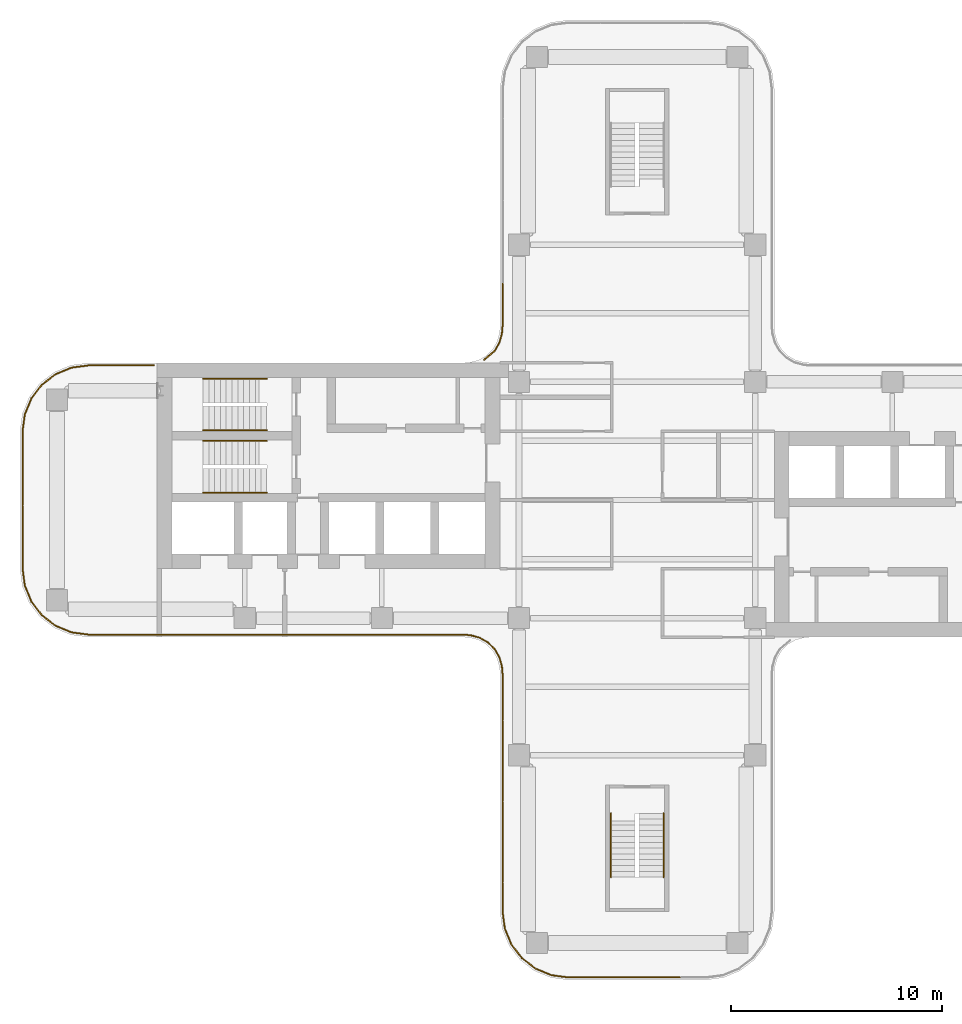
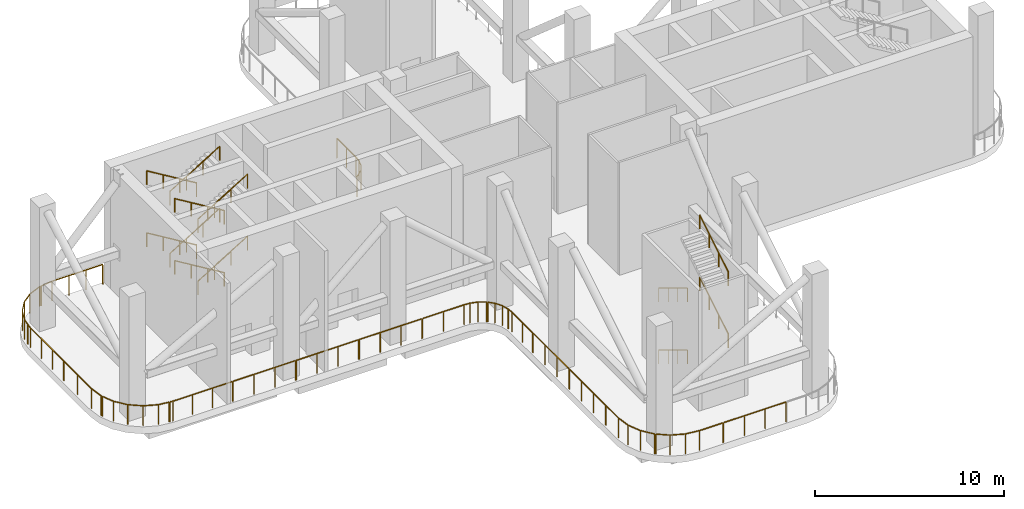
# One storey, part 7 of 9: 29 railings.
"""IFC4 building model written with IfcOpenShell, lengths in metres."""

from ifc_helpers import new_model, si_unit, direction, frame, origin, origin_2d, place, context, subcontext, project, spatial, rectangle, circle, extrude, source, transform, mapped, material, type_object, element, save


model = new_model("IFC4")

# Units and contexts
model_context = context("Model", 3, precision=1e-05, world=origin(), true_north=direction((0.0, 1.0)))
body_context = subcontext(model_context, "Body", "Model", "MODEL_VIEW")
ifc_project = project(units=[si_unit("LENGTHUNIT", "METRE"), si_unit("AREAUNIT", "SQUARE_METRE"), si_unit("VOLUMEUNIT", "CUBIC_METRE"), si_unit("PLANEANGLEUNIT", "RADIAN"), si_unit("MASSUNIT", "GRAM", prefix="KILO")], contexts=[model_context])

# Site, building, storey
site_placement = place(None, origin())
site = spatial("IfcSite", under=ifc_project, at=site_placement, CompositionType="ELEMENT")
building_placement = place(site_placement, origin())
building = spatial("IfcBuilding", under=site, at=building_placement, Name="Trellis Farm Tower", CompositionType="ELEMENT")
storey_placement = place(building_placement, frame((0.0, 0.0, 271.39990234375)))
storey = spatial("IfcBuildingStorey", under=building, at=storey_placement, Name="L61", CompositionType="ELEMENT", Elevation=271.39990234375)

# Railings
ifc_material_1 = material(Name="Stainless steel 316", Category="steel")
railing_type_1 = type_object("IfcRailingType", Name="BALUSTRADE GUARD 1300", PredefinedType="GUARDRAIL", material=ifc_material_1)
railing_1_placement = place(storey_placement, frame((-7.245361328125, 6.64990234375, 0.0)))
element("IfcRailing", 1, at=railing_1_placement, inside=storey, type_object=railing_type_1, Name="GD3 EDGE-1", PredefinedType="GUARDRAIL", context=body_context, shape_type="SweptSolid", body=[
    extrude(rectangle(XDim=0.050048828125, YDim=0.050048828125, at=origin_2d()), frame((0.0, 0.0, 1.27490234375), z_axis=(0.761614428035, 0.648030449138, 0.0), x_axis=(-0.648030449138, 0.761614428035, 0.0)), (0.0, 0.0, 1.0), 0.649169921875),
    extrude(rectangle(XDim=0.050048828125, YDim=0.050048828125, at=origin_2d()), frame((0.494384765625, 0.420654296875, 1.27490234375), z_axis=(0.499971721724, 0.866041729639, 0.0), x_axis=(-0.866041729639, 0.499971721724, 0.0)), (0.0, 0.0, 1.0), 0.4521484375),
    extrude(rectangle(XDim=0.050048828125, YDim=0.050048828125, at=origin_2d()), frame((0.720458984375, 0.812255859375, 1.27490234375), z_axis=(0.258891443638, 0.965906424252, 0.0), x_axis=(-0.965906424252, 0.258891443638, 0.0)), (0.0, 0.0, 1.0), 0.445068359375),
    extrude(rectangle(XDim=0.050048828125, YDim=0.050048828125, at=origin_2d()), frame((0.835693359375, 1.2421875, 1.27490234375), z_axis=(0.088443887633, 0.99608116072, 0.0), x_axis=(-0.99608116072, 0.088443887633, 0.0)), (0.0, 0.0, 1.0), 0.336669921875),
    extrude(rectangle(XDim=0.050048828125, YDim=0.050048828125, at=origin_2d()), frame((0.865478515625, 1.57763671875, 1.27490234375), z_axis=(0.0, 1.0, 0.0), x_axis=(-1.0, 0.0, 0.0)), (0.0, 0.0, 1.0), 2.028564453125),
    extrude(rectangle(XDim=0.0400390625, YDim=0.0400390625, at=origin_2d()), origin(), (0.0, 0.0, 1.0), 1.25),
    extrude(rectangle(XDim=0.0400390625, YDim=0.0400390625, at=origin_2d()), frame((0.494384765625, 0.420654296875, 0.0)), (0.0, 0.0, 1.0), 1.25),
    extrude(rectangle(XDim=0.0400390625, YDim=0.0400390625, at=origin_2d()), frame((0.720458984375, 0.812255859375, 0.0)), (0.0, 0.0, 1.0), 1.25),
    extrude(rectangle(XDim=0.0400390625, YDim=0.0400390625, at=origin_2d()), frame((0.835693359375, 1.2421875, 0.0)), (0.0, 0.0, 1.0), 1.25),
    extrude(rectangle(XDim=0.0400390625, YDim=0.0400390625, at=origin_2d()), frame((0.865478515625, 1.57763671875, 0.0)), (0.0, 0.0, 1.0), 1.25),
    extrude(rectangle(XDim=0.0400390625, YDim=0.0400390625, at=origin_2d()), frame((0.865478515625, 2.591796875, 0.0)), (0.0, 0.0, 1.0), 1.25),
    extrude(rectangle(XDim=0.0400390625, YDim=0.0400390625, at=origin_2d()), frame((0.865478515625, 3.606201171875, 0.0)), (0.0, 0.0, 1.0), 1.25),
])
railing_2_placement = place(storey_placement, frame((-1.8310546875, -22.6298828125, 0.0)))
element("IfcRailing", 2, at=railing_2_placement, inside=storey, type_object=railing_type_1, Name="GD3 EDGE-26", PredefinedType="GUARDRAIL", context=body_context, shape_type="SweptSolid", body=[
    extrude(rectangle(XDim=0.050048828125, YDim=0.050048828125, at=origin_2d()), frame((0.0, 0.0, 1.27490234375), z_axis=(-1.0, 0.0, 0.0), x_axis=(0.0, -1.0, 0.0)), (0.0, 0.0, 1.0), 1.4111328125),
    extrude(rectangle(XDim=0.050048828125, YDim=0.050048828125, at=origin_2d()), frame((-1.4111328125, 0.0, 1.27490234375), z_axis=(-0.991441191387, 0.130554065513, 0.0), x_axis=(-0.130554065513, -0.991441191387, 0.0)), (0.0, 0.0, 1.0), 0.82470703125),
    extrude(rectangle(XDim=0.050048828125, YDim=0.050048828125, at=origin_2d()), frame((-2.228759765625, 0.107666015625, 1.27490234375), z_axis=(-0.923914838122, 0.382598185958, 0.0), x_axis=(-0.382598185958, -0.923914838122, 0.0)), (0.0, 0.0, 1.0), 0.81689453125),
    extrude(rectangle(XDim=0.050048828125, YDim=0.050048828125, at=origin_2d()), frame((-2.9833984375, 0.420166015625, 1.27490234375), z_axis=(-0.793360431772, 0.608752187099, 0.0), x_axis=(-0.608752187099, -0.793360431772, 0.0)), (0.0, 0.0, 1.0), 0.751220703125),
    extrude(rectangle(XDim=0.0400390625, YDim=0.0400390625, at=origin_2d()), origin(), (0.0, 0.0, 1.0), 1.25),
    extrude(rectangle(XDim=0.0400390625, YDim=0.0400390625, at=origin_2d()), frame((-1.4111328125, 0.0, 0.0)), (0.0, 0.0, 1.0), 1.25),
    extrude(rectangle(XDim=0.0400390625, YDim=0.0400390625, at=origin_2d()), frame((-2.228759765625, 0.107666015625, 0.0)), (0.0, 0.0, 1.0), 1.25),
    extrude(rectangle(XDim=0.0400390625, YDim=0.0400390625, at=origin_2d()), frame((-2.9833984375, 0.420166015625, 0.0)), (0.0, 0.0, 1.0), 1.25),
    extrude(rectangle(XDim=0.0400390625, YDim=0.0400390625, at=origin_2d()), frame((-3.579345703125, 0.87744140625, 0.0)), (0.0, 0.0, 1.0), 1.25),
])
railing_3_placement = place(storey_placement, frame((-5.4462890625, -21.72509765625, 0.0)))
element("IfcRailing", 3, at=railing_3_placement, inside=storey, type_object=railing_type_1, Name="GD3 EDGE-27", PredefinedType="GUARDRAIL", context=body_context, shape_type="SweptSolid", body=[
    extrude(rectangle(XDim=0.050048828125, YDim=0.050048828125, at=origin_2d()), frame((0.0, 0.0, 1.27490234375), z_axis=(-0.785491672228, 0.618872226604, 0.0), x_axis=(-0.618872226604, -0.785491672228, 0.0)), (0.0, 0.0, 1.0), 0.0205078125),
    extrude(rectangle(XDim=0.050048828125, YDim=0.050048828125, at=origin_2d()), frame((-0.01611328125, 0.0126953125, 1.27490234375), z_axis=(-0.608858156099, 0.793279109615, 0.0), x_axis=(-0.793279109615, -0.608858156099, 0.0)), (0.0, 0.0, 1.0), 0.81689453125),
    extrude(rectangle(XDim=0.050048828125, YDim=0.050048828125, at=origin_2d()), frame((-0.513427734375, 0.66064453125, 1.27490234375), z_axis=(-0.382598185958, 0.923914838122, 0.0), x_axis=(-0.923914838122, -0.382598185958, 0.0)), (0.0, 0.0, 1.0), 0.81689453125),
    extrude(rectangle(XDim=0.050048828125, YDim=0.050048828125, at=origin_2d()), frame((-0.825927734375, 1.415283203125, 1.27490234375), z_axis=(-0.130554065513, 0.991441191387, 0.0), x_axis=(-0.991441191387, -0.130554065513, 0.0)), (0.0, 0.0, 1.0), 0.82470703125),
    extrude(rectangle(XDim=0.050048828125, YDim=0.050048828125, at=origin_2d()), frame((-0.93359375, 2.23291015625, 1.27490234375), z_axis=(0.0, 1.0, 0.0), x_axis=(-1.0, 0.0, 0.0)), (0.0, 0.0, 1.0), 1.324951171875),
    extrude(rectangle(XDim=0.0400390625, YDim=0.0400390625, at=origin_2d()), origin(), (0.0, 0.0, 1.0), 1.25),
    extrude(rectangle(XDim=0.0400390625, YDim=0.0400390625, at=origin_2d()), frame((-0.01611328125, 0.0126953125, 0.0)), (0.0, 0.0, 1.0), 1.25),
    extrude(rectangle(XDim=0.0400390625, YDim=0.0400390625, at=origin_2d()), frame((-0.513427734375, 0.66064453125, 0.0)), (0.0, 0.0, 1.0), 1.25),
    extrude(rectangle(XDim=0.0400390625, YDim=0.0400390625, at=origin_2d()), frame((-0.825927734375, 1.415283203125, 0.0)), (0.0, 0.0, 1.0), 1.25),
    extrude(rectangle(XDim=0.0400390625, YDim=0.0400390625, at=origin_2d()), frame((-0.93359375, 2.23291015625, 0.0)), (0.0, 0.0, 1.0), 1.25),
    extrude(rectangle(XDim=0.0400390625, YDim=0.0400390625, at=origin_2d()), frame((-0.93359375, 3.557861328125, 0.0)), (0.0, 0.0, 1.0), 1.25),
])
railing_4_placement = place(storey_placement, frame((-6.3798828125, -10.4248046875, 0.0)))
element("IfcRailing", 4, at=railing_4_placement, inside=storey, type_object=railing_type_1, Name="GD3 EDGE-30", PredefinedType="GUARDRAIL", context=body_context, shape_type="SweptSolid", body=[
    extrude(rectangle(XDim=0.050048828125, YDim=0.050048828125, at=origin_2d()), frame((0.0, 0.0, 1.27490234375), z_axis=(0.0, 1.0, 0.0), x_axis=(-1.0, 0.0, 0.0)), (0.0, 0.0, 1.0), 2.197265625),
    extrude(rectangle(XDim=0.050048828125, YDim=0.050048828125, at=origin_2d()), frame((0.0, 2.197265625, 1.27490234375), z_axis=(-0.088443887633, 0.99608116072, 0.0), x_axis=(-0.99608116072, -0.088443887633, 0.0)), (0.0, 0.0, 1.0), 0.336669921875),
    extrude(rectangle(XDim=0.050048828125, YDim=0.050048828125, at=origin_2d()), frame((-0.02978515625, 2.53271484375, 1.27490234375), z_axis=(-0.258891443638, 0.965906424252, 0.0), x_axis=(-0.965906424252, -0.258891443638, 0.0)), (0.0, 0.0, 1.0), 0.445068359375),
    extrude(rectangle(XDim=0.050048828125, YDim=0.050048828125, at=origin_2d()), frame((-0.14501953125, 2.962646484375, 1.27490234375), z_axis=(-0.499971721724, 0.866041729639, 0.0), x_axis=(-0.866041729639, -0.499971721724, 0.0)), (0.0, 0.0, 1.0), 0.4521484375),
    extrude(rectangle(XDim=0.050048828125, YDim=0.050048828125, at=origin_2d()), frame((-0.37109375, 3.354248046875, 1.27490234375), z_axis=(-0.707106781187, 0.707106781187, 0.0), x_axis=(-0.707106781187, -0.707106781187, 0.0)), (0.0, 0.0, 1.0), 0.37255859375),
    extrude(rectangle(XDim=0.0400390625, YDim=0.0400390625, at=origin_2d()), origin(), (0.0, 0.0, 1.0), 1.25),
    extrude(rectangle(XDim=0.0400390625, YDim=0.0400390625, at=origin_2d()), frame((0.0, 1.0986328125, 0.0)), (0.0, 0.0, 1.0), 1.25),
    extrude(rectangle(XDim=0.0400390625, YDim=0.0400390625, at=origin_2d()), frame((0.0, 2.197265625, 0.0)), (0.0, 0.0, 1.0), 1.25),
    extrude(rectangle(XDim=0.0400390625, YDim=0.0400390625, at=origin_2d()), frame((-0.02978515625, 2.53271484375, 0.0)), (0.0, 0.0, 1.0), 1.25),
    extrude(rectangle(XDim=0.0400390625, YDim=0.0400390625, at=origin_2d()), frame((-0.14501953125, 2.962646484375, 0.0)), (0.0, 0.0, 1.0), 1.25),
    extrude(rectangle(XDim=0.0400390625, YDim=0.0400390625, at=origin_2d()), frame((-0.37109375, 3.354248046875, 0.0)), (0.0, 0.0, 1.0), 1.25),
    extrude(rectangle(XDim=0.0400390625, YDim=0.0400390625, at=origin_2d()), frame((-0.634521484375, 3.61767578125, 0.0)), (0.0, 0.0, 1.0), 1.25),
])
railing_5_placement = place(storey_placement, frame((-7.046142578125, -6.775390625, 0.0)))
element("IfcRailing", 5, at=railing_5_placement, inside=storey, type_object=railing_type_1, Name="GD3 EDGE-31", PredefinedType="GUARDRAIL", context=body_context, shape_type="SweptSolid", body=[
    extrude(rectangle(XDim=0.050048828125, YDim=0.050048828125, at=origin_2d()), frame((0.0, 0.0, 1.27490234375), z_axis=(-0.707106781187, 0.707106781187, 0.0), x_axis=(-0.707106781187, -0.707106781187, 0.0)), (0.0, 0.0, 1.0), 0.034423828125),
    extrude(rectangle(XDim=0.050048828125, YDim=0.050048828125, at=origin_2d()), frame((-0.0244140625, 0.0244140625, 1.27490234375), z_axis=(-0.866041729639, 0.499971721724, 0.0), x_axis=(-0.499971721724, -0.866041729639, 0.0)), (0.0, 0.0, 1.0), 0.4521484375),
    extrude(rectangle(XDim=0.050048828125, YDim=0.050048828125, at=origin_2d()), frame((-0.416015625, 0.25048828125, 1.27490234375), z_axis=(-0.965906424252, 0.258891443638, 0.0), x_axis=(-0.258891443638, -0.965906424252, 0.0)), (0.0, 0.0, 1.0), 0.445068359375),
    extrude(rectangle(XDim=0.050048828125, YDim=0.050048828125, at=origin_2d()), frame((-0.845947265625, 0.36572265625, 1.27490234375), z_axis=(-0.99608116072, 0.088443887633, 0.0), x_axis=(-0.088443887633, -0.99608116072, 0.0)), (0.0, 0.0, 1.0), 0.336669921875),
    extrude(rectangle(XDim=0.050048828125, YDim=0.050048828125, at=origin_2d()), frame((-1.181396484375, 0.3955078125, 1.27490234375), z_axis=(-1.0, 0.0, 0.0), x_axis=(0.0, -1.0, 0.0)), (0.0, 0.0, 1.0), 2.535400390625),
    extrude(rectangle(XDim=0.0400390625, YDim=0.0400390625, at=origin_2d()), origin(), (0.0, 0.0, 1.0), 1.25),
    extrude(rectangle(XDim=0.0400390625, YDim=0.0400390625, at=origin_2d()), frame((-0.0244140625, 0.0244140625, 0.0)), (0.0, 0.0, 1.0), 1.25),
    extrude(rectangle(XDim=0.0400390625, YDim=0.0400390625, at=origin_2d()), frame((-0.416015625, 0.25048828125, 0.0)), (0.0, 0.0, 1.0), 1.25),
    extrude(rectangle(XDim=0.0400390625, YDim=0.0400390625, at=origin_2d()), frame((-0.845947265625, 0.36572265625, 0.0)), (0.0, 0.0, 1.0), 1.25),
    extrude(rectangle(XDim=0.0400390625, YDim=0.0400390625, at=origin_2d()), frame((-1.181396484375, 0.3955078125, 0.0)), (0.0, 0.0, 1.0), 1.25),
    extrude(rectangle(XDim=0.0400390625, YDim=0.0400390625, at=origin_2d()), frame((-2.44921875, 0.3955078125, 0.0)), (0.0, 0.0, 1.0), 1.25),
    extrude(rectangle(XDim=0.0400390625, YDim=0.0400390625, at=origin_2d()), frame((-3.716796875, 0.3955078125, 0.0)), (0.0, 0.0, 1.0), 1.25),
])
railing_6_placement = place(storey_placement, frame((-10.807861328125, -6.3798828125, 0.0)))
element("IfcRailing", 6, at=railing_6_placement, inside=storey, type_object=railing_type_1, Name="GD3 EDGE-32", PredefinedType="GUARDRAIL", context=body_context, shape_type="SweptSolid", body=[
    extrude(rectangle(XDim=0.050048828125, YDim=0.050048828125, at=origin_2d()), frame((0.0, 0.0, 1.27490234375), z_axis=(-1.0, 0.0, 0.0), x_axis=(0.0, -1.0, 0.0)), (0.0, 0.0, 1.0), 3.803955078125),
    extrude(rectangle(XDim=0.0400390625, YDim=0.0400390625, at=origin_2d()), origin(), (0.0, 0.0, 1.0), 1.25),
    extrude(rectangle(XDim=0.0400390625, YDim=0.0400390625, at=origin_2d()), frame((-1.26806640625, 0.0, 0.0)), (0.0, 0.0, 1.0), 1.25),
    extrude(rectangle(XDim=0.0400390625, YDim=0.0400390625, at=origin_2d()), frame((-2.535888671875, 0.0, 0.0)), (0.0, 0.0, 1.0), 1.25),
    extrude(rectangle(XDim=0.0400390625, YDim=0.0400390625, at=origin_2d()), frame((-3.803955078125, 0.0, 0.0)), (0.0, 0.0, 1.0), 1.25),
])
railing_7_placement = place(storey_placement, frame((-22.354248046875, -6.3798828125, 0.0)))
element("IfcRailing", 7, at=railing_7_placement, inside=storey, type_object=railing_type_1, Name="GD3 EDGE-35", PredefinedType="GUARDRAIL", context=body_context, shape_type="SweptSolid", body=[
    extrude(rectangle(XDim=0.050048828125, YDim=0.050048828125, at=origin_2d()), frame((0.0, 0.0, 1.27490234375), z_axis=(-1.0, 0.0, 0.0), x_axis=(0.0, -1.0, 0.0)), (0.0, 0.0, 1.0), 3.637939453125),
    extrude(rectangle(XDim=0.050048828125, YDim=0.050048828125, at=origin_2d()), frame((-3.637939453125, 0.0, 1.27490234375), z_axis=(-0.991583995852, 0.129464972752, 0.0), x_axis=(-0.129464972752, -0.991583995852, 0.0)), (0.0, 0.0, 1.0), 0.166015625),
    extrude(rectangle(XDim=0.0400390625, YDim=0.0400390625, at=origin_2d()), origin(), (0.0, 0.0, 1.0), 1.25),
    extrude(rectangle(XDim=0.0400390625, YDim=0.0400390625, at=origin_2d()), frame((-1.212646484375, 0.0, 0.0)), (0.0, 0.0, 1.0), 1.25),
    extrude(rectangle(XDim=0.0400390625, YDim=0.0400390625, at=origin_2d()), frame((-2.42529296875, 0.0, 0.0)), (0.0, 0.0, 1.0), 1.25),
    extrude(rectangle(XDim=0.0400390625, YDim=0.0400390625, at=origin_2d()), frame((-3.637939453125, 0.0, 0.0)), (0.0, 0.0, 1.0), 1.25),
    extrude(rectangle(XDim=0.0400390625, YDim=0.0400390625, at=origin_2d()), frame((-3.802490234375, 0.021484375, 0.0)), (0.0, 0.0, 1.0), 1.25),
])
railing_8_placement = place(storey_placement, frame((-26.201416015625, -6.352294921875, 0.0)))
element("IfcRailing", 8, at=railing_8_placement, inside=storey, type_object=railing_type_1, Name="GD3 EDGE-36", PredefinedType="GUARDRAIL", context=body_context, shape_type="SweptSolid", body=[
    extrude(rectangle(XDim=0.050048828125, YDim=0.050048828125, at=origin_2d()), frame((0.0, 0.0, 1.27490234375), z_axis=(-0.991448878041, 0.130495678972, 0.0), x_axis=(-0.130495678972, -0.991448878041, 0.0)), (0.0, 0.0, 1.0), 0.613525390625),
    extrude(rectangle(XDim=0.050048828125, YDim=0.050048828125, at=origin_2d()), frame((-0.6083984375, 0.080078125, 1.27490234375), z_axis=(-0.923914838122, 0.382598185958, 0.0), x_axis=(-0.382598185958, -0.923914838122, 0.0)), (0.0, 0.0, 1.0), 0.81689453125),
    extrude(rectangle(XDim=0.050048828125, YDim=0.050048828125, at=origin_2d()), frame((-1.363037109375, 0.392578125, 1.27490234375), z_axis=(-0.793279109615, 0.608858156099, 0.0), x_axis=(-0.608858156099, -0.793279109615, 0.0)), (0.0, 0.0, 1.0), 0.81689453125),
    extrude(rectangle(XDim=0.050048828125, YDim=0.050048828125, at=origin_2d()), frame((-2.010986328125, 0.889892578125, 1.27490234375), z_axis=(-0.608858156099, 0.793279109615, 0.0), x_axis=(-0.793279109615, -0.608858156099, 0.0)), (0.0, 0.0, 1.0), 0.81689453125),
    extrude(rectangle(XDim=0.050048828125, YDim=0.050048828125, at=origin_2d()), frame((-2.50830078125, 1.537841796875, 1.27490234375), z_axis=(-0.382575304994, 0.923924312922, 0.0), x_axis=(-0.923924312922, -0.382575304994, 0.0)), (0.0, 0.0, 1.0), 0.739501953125),
    extrude(rectangle(XDim=0.0400390625, YDim=0.0400390625, at=origin_2d()), origin(), (0.0, 0.0, 1.0), 1.25),
    extrude(rectangle(XDim=0.0400390625, YDim=0.0400390625, at=origin_2d()), frame((-0.6083984375, 0.080078125, 0.0)), (0.0, 0.0, 1.0), 1.25),
    extrude(rectangle(XDim=0.0400390625, YDim=0.0400390625, at=origin_2d()), frame((-1.363037109375, 0.392578125, 0.0)), (0.0, 0.0, 1.0), 1.25),
    extrude(rectangle(XDim=0.0400390625, YDim=0.0400390625, at=origin_2d()), frame((-2.010986328125, 0.889892578125, 0.0)), (0.0, 0.0, 1.0), 1.25),
    extrude(rectangle(XDim=0.0400390625, YDim=0.0400390625, at=origin_2d()), frame((-2.50830078125, 1.537841796875, 0.0)), (0.0, 0.0, 1.0), 1.25),
    extrude(rectangle(XDim=0.0400390625, YDim=0.0400390625, at=origin_2d()), frame((-2.791259765625, 2.22119140625, 0.0)), (0.0, 0.0, 1.0), 1.25),
])
railing_9_placement = place(storey_placement, frame((-29.010009765625, -4.089599609375, 0.0)))
element("IfcRailing", 9, at=railing_9_placement, inside=storey, type_object=railing_type_1, Name="GD3 EDGE-37", PredefinedType="GUARDRAIL", context=body_context, shape_type="SweptSolid", body=[
    extrude(rectangle(XDim=0.050048828125, YDim=0.050048828125, at=origin_2d()), frame((0.0, 0.0, 1.27490234375), z_axis=(-0.379223417484, 0.925305138661, 0.0), x_axis=(-0.925305138661, -0.379223417484, 0.0)), (0.0, 0.0, 1.0), 0.0322265625),
    extrude(rectangle(XDim=0.050048828125, YDim=0.050048828125, at=origin_2d()), frame((-0.01220703125, 0.02978515625, 1.27490234375), z_axis=(-0.130554065513, 0.991441191387, 0.0), x_axis=(-0.991441191387, -0.130554065513, 0.0)), (0.0, 0.0, 1.0), 0.82470703125),
    extrude(rectangle(XDim=0.050048828125, YDim=0.050048828125, at=origin_2d()), frame((-0.119873046875, 0.847412109375, 1.27490234375), z_axis=(0.0, 1.0, 0.0), x_axis=(-1.0, 0.0, 0.0)), (0.0, 0.0, 1.0), 2.94677734375),
    extrude(rectangle(XDim=0.0400390625, YDim=0.0400390625, at=origin_2d()), origin(), (0.0, 0.0, 1.0), 1.25),
    extrude(rectangle(XDim=0.0400390625, YDim=0.0400390625, at=origin_2d()), frame((-0.01220703125, 0.02978515625, 0.0)), (0.0, 0.0, 1.0), 1.25),
    extrude(rectangle(XDim=0.0400390625, YDim=0.0400390625, at=origin_2d()), frame((-0.119873046875, 0.847412109375, 0.0)), (0.0, 0.0, 1.0), 1.25),
    extrude(rectangle(XDim=0.0400390625, YDim=0.0400390625, at=origin_2d()), frame((-0.119873046875, 2.32080078125, 0.0)), (0.0, 0.0, 1.0), 1.25),
    extrude(rectangle(XDim=0.0400390625, YDim=0.0400390625, at=origin_2d()), frame((-0.119873046875, 3.794189453125, 0.0)), (0.0, 0.0, 1.0), 1.25),
])
railing_10_placement = place(storey_placement, frame((-29.1298828125, -0.25048828125, 0.0)))
element("IfcRailing", 10, at=railing_10_placement, inside=storey, type_object=railing_type_1, Name="GD3 EDGE-38", PredefinedType="GUARDRAIL", context=body_context, shape_type="SweptSolid", body=[
    extrude(rectangle(XDim=0.050048828125, YDim=0.050048828125, at=origin_2d()), frame((0.0, 0.0, 1.27490234375), z_axis=(0.0, 1.0, 0.0), x_axis=(-1.0, 0.0, 0.0)), (0.0, 0.0, 1.0), 3.49267578125),
    extrude(rectangle(XDim=0.050048828125, YDim=0.050048828125, at=origin_2d()), frame((0.0, 3.49267578125, 1.27490234375), z_axis=(0.130211017761, 0.991486303916, 0.0), x_axis=(-0.991486303916, 0.130211017761, 0.0)), (0.0, 0.0, 1.0), 0.311279296875),
    extrude(rectangle(XDim=0.0400390625, YDim=0.0400390625, at=origin_2d()), origin(), (0.0, 0.0, 1.0), 1.25),
    extrude(rectangle(XDim=0.0400390625, YDim=0.0400390625, at=origin_2d()), frame((0.0, 1.164306640625, 0.0)), (0.0, 0.0, 1.0), 1.25),
    extrude(rectangle(XDim=0.0400390625, YDim=0.0400390625, at=origin_2d()), frame((0.0, 2.328369140625, 0.0)), (0.0, 0.0, 1.0), 1.25),
    extrude(rectangle(XDim=0.0400390625, YDim=0.0400390625, at=origin_2d()), frame((0.0, 3.49267578125, 0.0)), (0.0, 0.0, 1.0), 1.25),
    extrude(rectangle(XDim=0.0400390625, YDim=0.0400390625, at=origin_2d()), frame((0.04052734375, 3.80126953125, 0.0)), (0.0, 0.0, 1.0), 1.25),
])
railing_11_placement = place(storey_placement, frame((-29.08349609375, 3.595458984375, 0.0)))
element("IfcRailing", 11, at=railing_11_placement, inside=storey, type_object=railing_type_1, Name="GD3 EDGE-39", PredefinedType="GUARDRAIL", context=body_context, shape_type="SweptSolid", body=[
    extrude(rectangle(XDim=0.050048828125, YDim=0.050048828125, at=origin_2d()), frame((0.0, 0.0, 1.27490234375), z_axis=(0.130832040727, 0.991404547659, 0.0), x_axis=(-0.991404547659, 0.130832040727, 0.0)), (0.0, 0.0, 1.0), 0.46826171875),
    extrude(rectangle(XDim=0.050048828125, YDim=0.050048828125, at=origin_2d()), frame((0.061279296875, 0.46435546875, 1.27490234375), z_axis=(0.382598185958, 0.923914838122, 0.0), x_axis=(-0.923914838122, 0.382598185958, 0.0)), (0.0, 0.0, 1.0), 0.81689453125),
    extrude(rectangle(XDim=0.050048828125, YDim=0.050048828125, at=origin_2d()), frame((0.373779296875, 1.218994140625, 1.27490234375), z_axis=(0.608858156099, 0.793279109615, 0.0), x_axis=(-0.793279109615, 0.608858156099, 0.0)), (0.0, 0.0, 1.0), 0.81689453125),
    extrude(rectangle(XDim=0.050048828125, YDim=0.050048828125, at=origin_2d()), frame((0.87109375, 1.866943359375, 1.27490234375), z_axis=(0.793279109615, 0.608858156099, 0.0), x_axis=(-0.608858156099, 0.793279109615, 0.0)), (0.0, 0.0, 1.0), 0.81689453125),
    extrude(rectangle(XDim=0.050048828125, YDim=0.050048828125, at=origin_2d()), frame((1.51904296875, 2.3642578125, 1.27490234375), z_axis=(0.923914838122, 0.382598185958, 0.0), x_axis=(-0.382598185958, 0.923914838122, 0.0)), (0.0, 0.0, 1.0), 0.81689453125),
    extrude(rectangle(XDim=0.050048828125, YDim=0.050048828125, at=origin_2d()), frame((2.273681640625, 2.6767578125, 1.27490234375), z_axis=(0.991196621205, 0.132398104638, 0.0), x_axis=(-0.132398104638, 0.991196621205, 0.0)), (0.0, 0.0, 1.0), 0.068115234375),
    extrude(rectangle(XDim=0.0400390625, YDim=0.0400390625, at=origin_2d()), origin(), (0.0, 0.0, 1.0), 1.25),
    extrude(rectangle(XDim=0.0400390625, YDim=0.0400390625, at=origin_2d()), frame((0.061279296875, 0.46435546875, 0.0)), (0.0, 0.0, 1.0), 1.25),
    extrude(rectangle(XDim=0.0400390625, YDim=0.0400390625, at=origin_2d()), frame((0.373779296875, 1.218994140625, 0.0)), (0.0, 0.0, 1.0), 1.25),
    extrude(rectangle(XDim=0.0400390625, YDim=0.0400390625, at=origin_2d()), frame((0.87109375, 1.866943359375, 0.0)), (0.0, 0.0, 1.0), 1.25),
    extrude(rectangle(XDim=0.0400390625, YDim=0.0400390625, at=origin_2d()), frame((1.51904296875, 2.3642578125, 0.0)), (0.0, 0.0, 1.0), 1.25),
    extrude(rectangle(XDim=0.0400390625, YDim=0.0400390625, at=origin_2d()), frame((2.273681640625, 2.6767578125, 0.0)), (0.0, 0.0, 1.0), 1.25),
    extrude(rectangle(XDim=0.0400390625, YDim=0.0400390625, at=origin_2d()), frame((2.34130859375, 2.685791015625, 0.0)), (0.0, 0.0, 1.0), 1.25),
])
railing_12_placement = place(storey_placement, frame((-26.69775390625, 6.287109375, 0.0)))
element("IfcRailing", 12, at=railing_12_placement, inside=storey, type_object=railing_type_1, Name="GD3 EDGE-40", PredefinedType="GUARDRAIL", context=body_context, shape_type="SweptSolid", body=[
    extrude(rectangle(XDim=0.050048828125, YDim=0.050048828125, at=origin_2d()), frame((0.0, 0.0, 1.27490234375), z_axis=(0.991465968487, 0.130365767483, 0.0), x_axis=(-0.130365767483, 0.991465968487, 0.0)), (0.0, 0.0, 1.0), 0.711669921875),
    extrude(rectangle(XDim=0.050048828125, YDim=0.050048828125, at=origin_2d()), frame((0.70556640625, 0.0927734375, 1.27490234375), z_axis=(1.0, 0.0, 0.0), x_axis=(0.0, 1.0, 0.0)), (0.0, 0.0, 1.0), 3.09228515625),
    extrude(rectangle(XDim=0.0400390625, YDim=0.0400390625, at=origin_2d()), origin(), (0.0, 0.0, 1.0), 1.25),
    extrude(rectangle(XDim=0.0400390625, YDim=0.0400390625, at=origin_2d()), frame((0.70556640625, 0.0927734375, 0.0)), (0.0, 0.0, 1.0), 1.25),
    extrude(rectangle(XDim=0.0400390625, YDim=0.0400390625, at=origin_2d()), frame((1.736328125, 0.0927734375, 0.0)), (0.0, 0.0, 1.0), 1.25),
    extrude(rectangle(XDim=0.0400390625, YDim=0.0400390625, at=origin_2d()), frame((2.76708984375, 0.0927734375, 0.0)), (0.0, 0.0, 1.0), 1.25),
    extrude(rectangle(XDim=0.0400390625, YDim=0.0400390625, at=origin_2d()), frame((3.7978515625, 0.0927734375, 0.0)), (0.0, 0.0, 1.0), 1.25),
])
ifc_material_2 = material(Name="Stainless steel", Category="steel")
railing_type_2 = type_object("IfcRailingType", Name="STAIR HANDRAIL 900", PredefinedType="HANDRAIL", material=ifc_material_2)
shared_shape_1 = source(origin(), body_context, "Body", "SweptSolid", [
    extrude(circle(Radius=0.02392578125, at=origin_2d()), frame((0.0, 0.0, 0.8759765625), z_axis=(0.0, 0.855200612876, 0.518297126884), x_axis=(-1.0, 0.0, 0.0)), (0.0, 0.0, 1.0), 3.537109375),
    extrude(circle(Radius=0.02099609375, at=origin_2d()), origin(), (0.0, 0.0, 1.0), 0.851806640625),
    extrude(circle(Radius=0.02099609375, at=origin_2d()), frame((0.0, 1.00830078125, 0.611083984375)), (0.0, 0.0, 1.0), 0.851806640625),
    extrude(circle(Radius=0.02099609375, at=origin_2d()), frame((0.0, 2.0166015625, 1.22216796875)), (0.0, 0.0, 1.0), 0.851806640625),
    extrude(circle(Radius=0.02099609375, at=origin_2d()), frame((0.0, 3.02490234375, 1.833251953125)), (0.0, 0.0, 1.0), 0.851806640625),
])
for number, where, name in (
    (13, (1.25, -17.875, 2.166748046875), "Stair handrail"),
    (14, (1.25, -17.875, 6.166748046875), "Stair handrail"),
):
    element("IfcRailing", number, at=place(storey_placement, frame(where)), inside=storey, type_object=railing_type_2, Name=name, PredefinedType="HANDRAIL", context=body_context, shape_type="MappedRepresentation", body=[
        mapped(shared_shape_1, transform((0.0, 0.0, 0.0))),
    ])
shared_shape_2 = source(origin(), body_context, "Body", "SweptSolid", [
    extrude(circle(Radius=0.02392578125, at=origin_2d()), frame((0.0, 0.0, 0.8759765625), z_axis=(0.0, -0.855200612876, 0.518297126884), x_axis=(1.0, 0.0, 0.0)), (0.0, 0.0, 1.0), 3.537109375),
    extrude(circle(Radius=0.02099609375, at=origin_2d()), origin(), (0.0, 0.0, 1.0), 0.851806640625),
    extrude(circle(Radius=0.02099609375, at=origin_2d()), frame((0.0, -1.00830078125, 0.611083984375)), (0.0, 0.0, 1.0), 0.851806640625),
    extrude(circle(Radius=0.02099609375, at=origin_2d()), frame((0.0, -2.0166015625, 1.22216796875)), (0.0, 0.0, 1.0), 0.851806640625),
    extrude(circle(Radius=0.02099609375, at=origin_2d()), frame((0.0, -3.02490234375, 1.833251953125)), (0.0, 0.0, 1.0), 0.851806640625),
])
for number, where, name in (
    (15, (-1.25, -14.85009765625, 0.166748046875), "Stair handrail"),
    (16, (-1.25, -14.85009765625, 4.166748046875), "Stair handrail"),
):
    element("IfcRailing", number, at=place(storey_placement, frame(where)), inside=storey, type_object=railing_type_2, Name=name, PredefinedType="HANDRAIL", context=body_context, shape_type="MappedRepresentation", body=[
        mapped(shared_shape_2, transform((0.0, 0.0, 0.0))),
    ])
shared_shape_3 = source(origin(), body_context, "Body", "SweptSolid", [
    extrude(circle(Radius=0.02392578125, at=origin_2d()), frame((0.0, 0.0, 0.8759765625), z_axis=(0.855200612876, 0.0, 0.518297126884), x_axis=(0.0, 1.0, 0.0)), (0.0, 0.0, 1.0), 3.537109375),
    extrude(circle(Radius=0.02099609375, at=origin_2d()), origin(), (0.0, 0.0, 1.0), 0.851806640625),
    extrude(circle(Radius=0.02099609375, at=origin_2d()), frame((1.00830078125, 0.0, 0.611083984375)), (0.0, 0.0, 1.0), 0.851806640625),
    extrude(circle(Radius=0.02099609375, at=origin_2d()), frame((2.0166015625, 0.0, 1.22216796875)), (0.0, 0.0, 1.0), 0.851806640625),
    extrude(circle(Radius=0.02099609375, at=origin_2d()), frame((3.02490234375, 0.0, 1.833251953125)), (0.0, 0.0, 1.0), 0.851806640625),
])
for number, where, name in (
    (17, (-20.574951171875, 3.300048828125, 2.166748046875), "Stair handrail"),
    (18, (-20.574951171875, 3.300048828125, 6.166748046875), "Stair handrail"),
    (19, (-20.574951171875, 0.35009765625, 2.166748046875), "Stair handrail"),
    (20, (-20.574951171875, 0.35009765625, 6.166748046875), "Stair handrail"),
):
    element("IfcRailing", number, at=place(storey_placement, frame(where)), inside=storey, type_object=railing_type_2, Name=name, PredefinedType="HANDRAIL", context=body_context, shape_type="MappedRepresentation", body=[
        mapped(shared_shape_3, transform((0.0, 0.0, 0.0))),
    ])
shared_shape_4 = source(origin(), body_context, "Body", "SweptSolid", [
    extrude(circle(Radius=0.02392578125, at=origin_2d()), frame((0.0, 0.0, 0.8759765625), z_axis=(-0.855200612876, 0.0, 0.518297126884), x_axis=(0.0, -1.0, 0.0)), (0.0, 0.0, 1.0), 3.537109375),
    extrude(circle(Radius=0.02099609375, at=origin_2d()), origin(), (0.0, 0.0, 1.0), 0.851806640625),
    extrude(circle(Radius=0.02099609375, at=origin_2d()), frame((-1.00830078125, 0.0, 0.611083984375)), (0.0, 0.0, 1.0), 0.851806640625),
    extrude(circle(Radius=0.02099609375, at=origin_2d()), frame((-2.0166015625, 0.0, 1.22216796875)), (0.0, 0.0, 1.0), 0.851806640625),
    extrude(circle(Radius=0.02099609375, at=origin_2d()), frame((-3.02490234375, 0.0, 1.833251953125)), (0.0, 0.0, 1.0), 0.851806640625),
])
for number, where, name in (
    (21, (-17.550048828125, 5.75, 0.166748046875), "Stair handrail"),
    (22, (-17.550048828125, 5.75, 4.166748046875), "Stair handrail"),
    (23, (-17.550048828125, 2.800048828125, 0.166748046875), "Stair handrail"),
    (24, (-17.550048828125, 2.800048828125, 4.166748046875), "Stair handrail"),
):
    element("IfcRailing", number, at=place(storey_placement, frame(where)), inside=storey, type_object=railing_type_2, Name=name, PredefinedType="HANDRAIL", context=body_context, shape_type="MappedRepresentation", body=[
        mapped(shared_shape_4, transform((0.0, 0.0, 0.0))),
    ])
shared_shape_5 = source(origin(), body_context, "Body", "SweptSolid", [
    extrude(rectangle(XDim=0.050048828125, YDim=0.050048828125, at=origin_2d()), frame((0.0, 0.0, 1.27490234375), z_axis=(0.0, 1.0, 0.0), x_axis=(-1.0, 0.0, 0.0)), (0.0, 0.0, 1.0), 3.8037109375),
    extrude(rectangle(XDim=0.0400390625, YDim=0.0400390625, at=origin_2d()), origin(), (0.0, 0.0, 1.0), 1.25),
    extrude(rectangle(XDim=0.0400390625, YDim=0.0400390625, at=origin_2d()), frame((0.0, 1.267822265625, 0.0)), (0.0, 0.0, 1.0), 1.25),
    extrude(rectangle(XDim=0.0400390625, YDim=0.0400390625, at=origin_2d()), frame((0.0, 2.535888671875, 0.0)), (0.0, 0.0, 1.0), 1.25),
    extrude(rectangle(XDim=0.0400390625, YDim=0.0400390625, at=origin_2d()), frame((0.0, 3.8037109375, 0.0)), (0.0, 0.0, 1.0), 1.25),
])
for number, where, name in (
    (25, (-6.3798828125, -18.122314453125, 0.0), "GD3 EDGE-28"),
    (26, (-6.3798828125, -14.2734375, 0.0), "GD3 EDGE-29"),
):
    element("IfcRailing", number, at=place(storey_placement, frame(where)), inside=storey, type_object=railing_type_1, Name=name, PredefinedType="GUARDRAIL", context=body_context, shape_type="MappedRepresentation", body=[
        mapped(shared_shape_5, transform((0.0, 0.0, 0.0))),
    ])
shared_shape_6 = source(origin(), body_context, "Body", "SweptSolid", [
    extrude(rectangle(XDim=0.050048828125, YDim=0.050048828125, at=origin_2d()), frame((0.0, 0.0, 1.27490234375), z_axis=(-1.0, 0.0, 0.0), x_axis=(0.0, -1.0, 0.0)), (0.0, 0.0, 1.0), 3.8037109375),
    extrude(rectangle(XDim=0.0400390625, YDim=0.0400390625, at=origin_2d()), origin(), (0.0, 0.0, 1.0), 1.25),
    extrude(rectangle(XDim=0.0400390625, YDim=0.0400390625, at=origin_2d()), frame((-1.267822265625, 0.0, 0.0)), (0.0, 0.0, 1.0), 1.25),
    extrude(rectangle(XDim=0.0400390625, YDim=0.0400390625, at=origin_2d()), frame((-2.535888671875, 0.0, 0.0)), (0.0, 0.0, 1.0), 1.25),
    extrude(rectangle(XDim=0.0400390625, YDim=0.0400390625, at=origin_2d()), frame((-3.8037109375, 0.0, 0.0)), (0.0, 0.0, 1.0), 1.25),
])
for number, where, name in (
    (27, (2.017578125, -22.6298828125, 0.0), "GD3 EDGE-25"),
    (28, (-14.65673828125, -6.3798828125, 0.0), "GD3 EDGE-33"),
    (29, (-18.505615234375, -6.3798828125, 0.0), "GD3 EDGE-34"),
):
    element("IfcRailing", number, at=place(storey_placement, frame(where)), inside=storey, type_object=railing_type_1, Name=name, PredefinedType="GUARDRAIL", context=body_context, shape_type="MappedRepresentation", body=[
        mapped(shared_shape_6, transform((0.0, 0.0, 0.0))),
    ])

save(model, "model.ifc")
